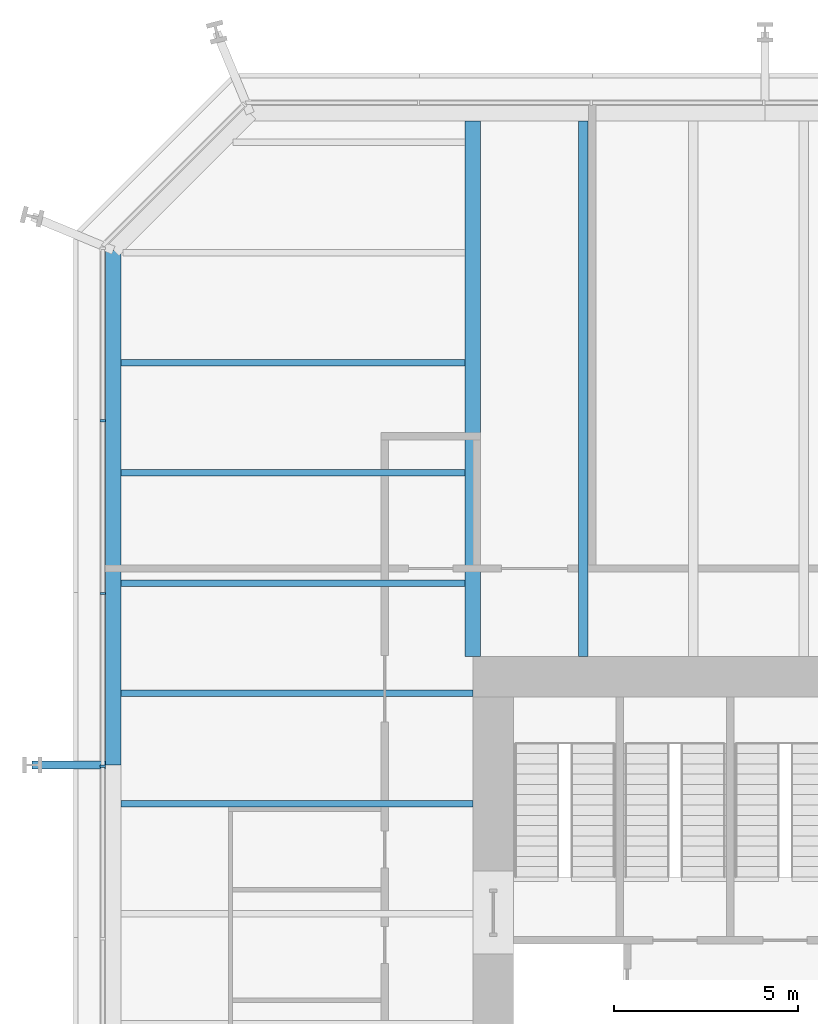
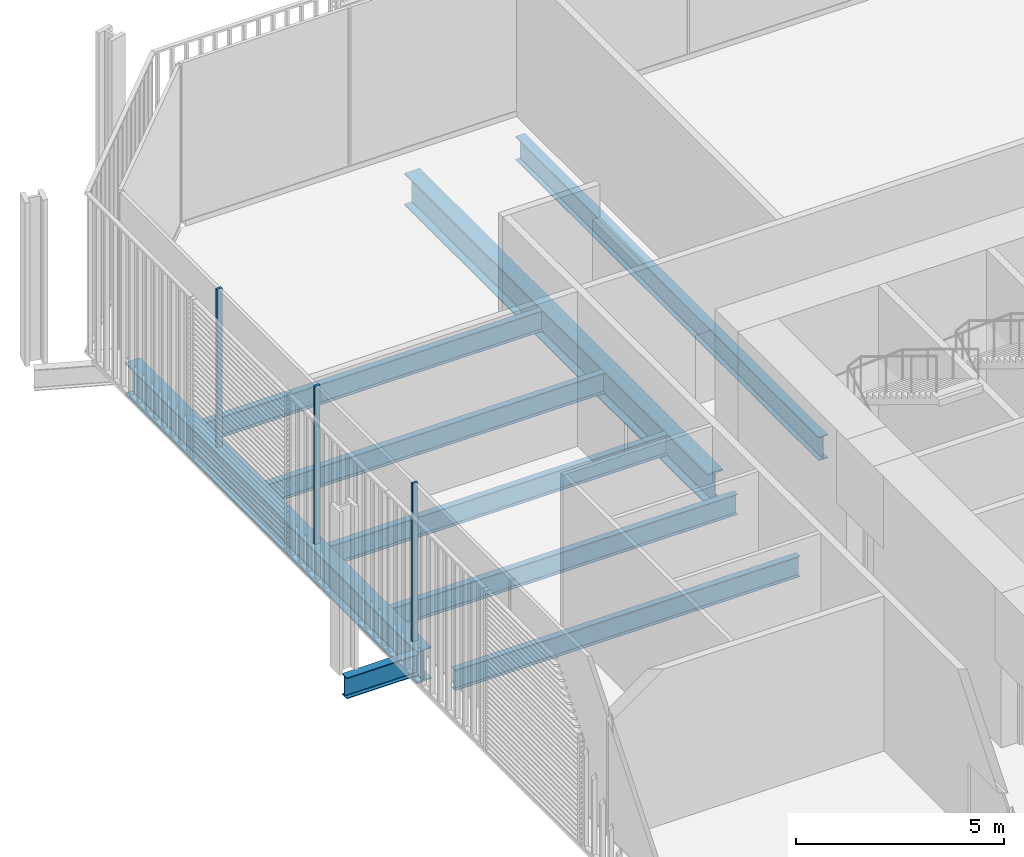
# One storey, part 12 of 22: 9 beams, 3 members, 1 element without a shape of its own.
"""IFC4 building model written with IfcOpenShell, lengths in metres."""

from ifc_helpers import new_model, si_unit, direction, frame, origin, origin_2d, place, context, subcontext, project, spatial, rectangle, i_section, extrude, material, layer, layer_set, material_profile, profile_set, type_object, element, aggregate, save


model = new_model("IFC4")

# Units and contexts
model_context = context("Model", 3, precision=1e-05, world=origin(), true_north=direction((0.0, 1.0)))
body_context = subcontext(model_context, "Body", "Model", "MODEL_VIEW")
ifc_project = project(units=[si_unit("LENGTHUNIT", "METRE"), si_unit("AREAUNIT", "SQUARE_METRE"), si_unit("VOLUMEUNIT", "CUBIC_METRE"), si_unit("PLANEANGLEUNIT", "RADIAN"), si_unit("MASSUNIT", "GRAM", prefix="KILO")], contexts=[model_context])

# Site, building, storey
site_placement = place(None, origin())
site = spatial("IfcSite", under=ifc_project, at=site_placement, CompositionType="ELEMENT")
building_placement = place(site_placement, origin())
building = spatial("IfcBuilding", under=site, at=building_placement, Name="Millrace Tower", CompositionType="ELEMENT")
storey_placement = place(building_placement, frame((0.0, 0.0, 59.300048828125)))
storey = spatial("IfcBuildingStorey", under=building, at=storey_placement, Name="L13", CompositionType="ELEMENT", Elevation=59.300048828125)

# Curtain wall, members
ifc_material_1 = material(Name="Aluminium and glass", Category="aluminium")
ifc_layer = layer(ifc_material_1, 0.14990234375)
ifc_layer_set = layer_set([ifc_layer], Name="Aluminium and glass")
curtain_wall_type = type_object("IfcCurtainWallType", Name="CW-2 data hall insulated curtain wall", PredefinedType="NOTDEFINED", material=ifc_layer_set)
curtain_wall_placement = place(storey_placement, origin())
curtain_wall = element("IfcCurtainWall", 1, at=curtain_wall_placement, inside=storey, type_object=curtain_wall_type, Name="Curtain wall A-F08 L13", PredefinedType="NOTDEFINED")
ifc_material_2 = material(Name="Aluminium", Category="aluminium")
ifc_material_profile_1 = material_profile(ifc_material_2, rectangle(XDim=0.06494140625, YDim=0.14990234375, at=origin_2d()))
ifc_profile_set_1 = profile_set([ifc_material_profile_1], Name="Aluminium")
member_type = type_object("IfcMemberType", Name="CW-2 data hall insulated curtain wall mullion", PredefinedType="MULLION", material=ifc_profile_set_1)
member_1_placement = place(storey_placement, frame((-25.074951171875, 16.41748046875, 0.159912109375), z_axis=(0.0, 0.0, 1.0), x_axis=(0.0, -1.0, 0.0)))
member_1 = element("IfcMember", 2, at=member_1_placement, type_object=member_type, Name="CW2 mullion A-F08.2", PredefinedType="MULLION", context=body_context, shape_type="SweptSolid", body=[
    extrude(rectangle(XDim=0.06494140625, YDim=0.14990234375, at=origin_2d()), origin(), (0.0, 0.0, 1.0), 4.64013671875),
])
member_2_placement = place(storey_placement, frame((-25.074951171875, 11.717529296875, 0.159912109375), z_axis=(0.0, 0.0, 1.0), x_axis=(0.0, -1.0, 0.0)))
member_2 = element("IfcMember", 3, at=member_2_placement, type_object=member_type, Name="CW2 mullion A-F08.3", PredefinedType="MULLION", context=body_context, shape_type="SweptSolid", body=[
    extrude(rectangle(XDim=0.06494140625, YDim=0.14990234375, at=origin_2d()), origin(), (0.0, 0.0, 1.0), 4.64013671875),
])
member_3_placement = place(storey_placement, frame((-25.074951171875, 7.017578125, 0.159912109375), z_axis=(0.0, 0.0, 1.0), x_axis=(0.0, -1.0, 0.0)))
member_3 = element("IfcMember", 4, at=member_3_placement, type_object=member_type, Name="CW2 mullion A-F08.4", PredefinedType="MULLION", context=body_context, shape_type="SweptSolid", body=[
    extrude(rectangle(XDim=0.06494140625, YDim=0.14990234375, at=origin_2d()), origin(), (0.0, 0.0, 1.0), 4.64013671875),
])
aggregate(curtain_wall, [member_1, member_2, member_3])

# Beams
ifc_material_3 = material(Name="Steel ASTM A992 Grade 50", Category="steel")
ifc_material_profile_2 = material_profile(ifc_material_3, i_section(OverallWidth=0.1787109375, OverallDepth=0.60205078125, WebThickness=0.010986328125, FlangeThickness=0.014892578125, FilletRadius=0.0126953125, at=origin_2d()))
ifc_profile_set_2 = profile_set([ifc_material_profile_2], Name="Steel ASTM A992 Grade 50")
beam_type_1 = type_object("IfcBeamType", Name="Floor beam W24x62", PredefinedType="JOIST", material=ifc_profile_set_2)
for number, where, z_axis, x_axis, name in (
    (5, (-24.578369140625, 6.0, -0.526123046875), (1.0, 0.0, 0.0), (0.0, 1.0, 0.0), "BM-A-L13-S1-S027"),
    (6, (-24.578369140625, 9.0, -0.526123046875), (1.0, 0.0, 0.0), (0.0, 1.0, 0.0), "BM-A-L13-S1-S030"),
):
    element("IfcBeam", number, at=place(storey_placement, frame(where, z_axis=z_axis, x_axis=x_axis)), inside=storey, type_object=beam_type_1, Name=name, PredefinedType="JOIST", context=body_context, shape_type="SweptSolid", body=[
        extrude(i_section(OverallWidth=0.1787109375, OverallDepth=0.60205078125, WebThickness=0.010986328125, FlangeThickness=0.014892578125, FilletRadius=0.0126953125, at=origin_2d()), origin(), (0.0, 0.0, 1.0), 9.578369140625),
    ])
for number, where, z_axis, x_axis, name in (
    (7, (-24.578369140625, 12.0, -0.526123046875), (1.0, 0.0, 0.0), (0.0, 1.0, 0.0), "BM-A-L13-S1-S032"),
    (8, (-24.578369140625, 15.0, -0.526123046875), (1.0, 0.0, 0.0), (0.0, 1.0, 0.0), "BM-A-L13-S1-S034"),
    (9, (-24.578369140625, 18.0, -0.526123046875), (1.0, 0.0, 0.0), (0.0, 1.0, 0.0), "BM-A-L13-S1-S036"),
):
    element("IfcBeam", number, at=place(storey_placement, frame(where, z_axis=z_axis, x_axis=x_axis)), inside=storey, type_object=beam_type_1, Name=name, PredefinedType="JOIST", context=body_context, shape_type="SweptSolid", body=[
        extrude(i_section(OverallWidth=0.1787109375, OverallDepth=0.60205078125, WebThickness=0.010986328125, FlangeThickness=0.014892578125, FilletRadius=0.0126953125, at=origin_2d()), origin(), (0.0, 0.0, 1.0), 9.3662109375),
    ])
ifc_material_4 = material(Name="Steel ASTM A992 Grade 50", Category="steel")
ifc_material_profile_3 = material_profile(ifc_material_4, i_section(OverallWidth=0.256591796875, OverallDepth=0.693359375, WebThickness=0.014404296875, FlangeThickness=0.023681640625, FilletRadius=0.01513671875, at=origin_2d()))
ifc_profile_set_3 = profile_set([ifc_material_profile_3], Name="Steel ASTM A992 Grade 50")
beam_type_2 = type_object("IfcBeamType", Name="Floor beam W27x114", PredefinedType="JOIST", material=ifc_profile_set_3)
beam_1_placement = place(storey_placement, frame((-12.0, 10.0, -0.57177734375), z_axis=(0.0, 1.0, 0.0), x_axis=(-1.0, 0.0, 0.0)))
element("IfcBeam", 10, at=beam_1_placement, inside=storey, type_object=beam_type_2, Name="BM-A-L13-S1-S042", PredefinedType="JOIST", context=body_context, shape_type="SweptSolid", body=[
    extrude(i_section(OverallWidth=0.256591796875, OverallDepth=0.693359375, WebThickness=0.014404296875, FlangeThickness=0.023681640625, FilletRadius=0.01513671875, at=origin_2d()), origin(), (0.0, 0.0, 1.0), 14.578369140625),
])
ifc_material_5 = material(Name="Steel ASTM A992 Grade 50", Category="steel")
ifc_material_profile_4 = material_profile(ifc_material_5, i_section(OverallWidth=0.424072265625, OverallDepth=0.947509765625, WebThickness=0.02392578125, FlangeThickness=0.042724609375, FilletRadius=0.024169921875, at=origin_2d()))
ifc_profile_set_4 = profile_set([ifc_material_profile_4], Name="Steel ASTM A992 Grade 50")
beam_type_3 = type_object("IfcBeamType", Name="Girder medium span W36x302", PredefinedType="BEAM", material=ifc_profile_set_4)
beam_2_placement = place(storey_placement, frame((-15.0, 10.0, -0.69873046875), z_axis=(0.0, 1.0, 0.0), x_axis=(-1.0, 0.0, 0.0)))
element("IfcBeam", 11, at=beam_2_placement, inside=storey, type_object=beam_type_3, Name="BM-A-L13-S1-G060", PredefinedType="BEAM", context=body_context, shape_type="SweptSolid", body=[
    extrude(i_section(OverallWidth=0.424072265625, OverallDepth=0.947509765625, WebThickness=0.02392578125, FlangeThickness=0.042724609375, FilletRadius=0.024169921875, at=origin_2d()), origin(), (0.0, 0.0, 1.0), 14.578369140625),
])
ifc_material_6 = material(Name="Steel ASTM A992 Grade 50", Category="steel")
ifc_material_profile_5 = material_profile(ifc_material_6, i_section(OverallWidth=0.23046875, OverallDepth=0.6171875, WebThickness=0.01318359375, FlangeThickness=0.022216796875, FilletRadius=0.012939453125, at=origin_2d()))
ifc_profile_set_5 = profile_set([ifc_material_profile_5], Name="Steel ASTM A992 Grade 50")
beam_type_4 = type_object("IfcBeamType", Name="Link beam W24x94", PredefinedType="BEAM", material=ifc_profile_set_5)
beam_3_placement = place(storey_placement, frame((-25.0, 7.050048828125, -0.53369140625), z_axis=(-1.0, 0.0, 0.0), x_axis=(0.0, -1.0, 0.0)))
element("IfcBeam", 12, at=beam_3_placement, inside=storey, type_object=beam_type_4, Name="LNK-A-L13-S1-03", PredefinedType="BEAM", context=body_context, shape_type="SweptSolid", body=[
    extrude(i_section(OverallWidth=0.23046875, OverallDepth=0.6171875, WebThickness=0.01318359375, FlangeThickness=0.022216796875, FilletRadius=0.012939453125, at=origin_2d()), origin(), (0.0, 0.0, 1.0), 2.0),
])
ifc_material_7 = material(Name="Steel ASTM A992 Grade 50", Category="steel")
ifc_material_profile_6 = material_profile(ifc_material_7, i_section(OverallWidth=0.421630859375, OverallDepth=0.937255859375, WebThickness=0.021240234375, FlangeThickness=0.03662109375, FilletRadius=0.024169921875, at=origin_2d()))
ifc_profile_set_6 = profile_set([ifc_material_profile_6], Name="Steel ASTM A992 Grade 50")
beam_type_5 = type_object("IfcBeamType", Name="Ring beam medium span W36x262", PredefinedType="SPANDREL", material=ifc_profile_set_6)
beam_4_placement = place(storey_placement, frame((-24.7890625, 7.050048828125, -0.693603515625), z_axis=(0.0, 1.0, 0.0), x_axis=(-1.0, 0.0, 0.0)))
element("IfcBeam", 13, at=beam_4_placement, inside=storey, type_object=beam_type_5, Name="RNG-A-L13-S1-03", PredefinedType="SPANDREL", context=body_context, shape_type="SweptSolid", body=[
    extrude(i_section(OverallWidth=0.421630859375, OverallDepth=0.937255859375, WebThickness=0.021240234375, FlangeThickness=0.03662109375, FilletRadius=0.024169921875, at=origin_2d()), origin(), (0.0, 0.0, 1.0), 14.0126953125),
])

save(model, "model.ifc")
